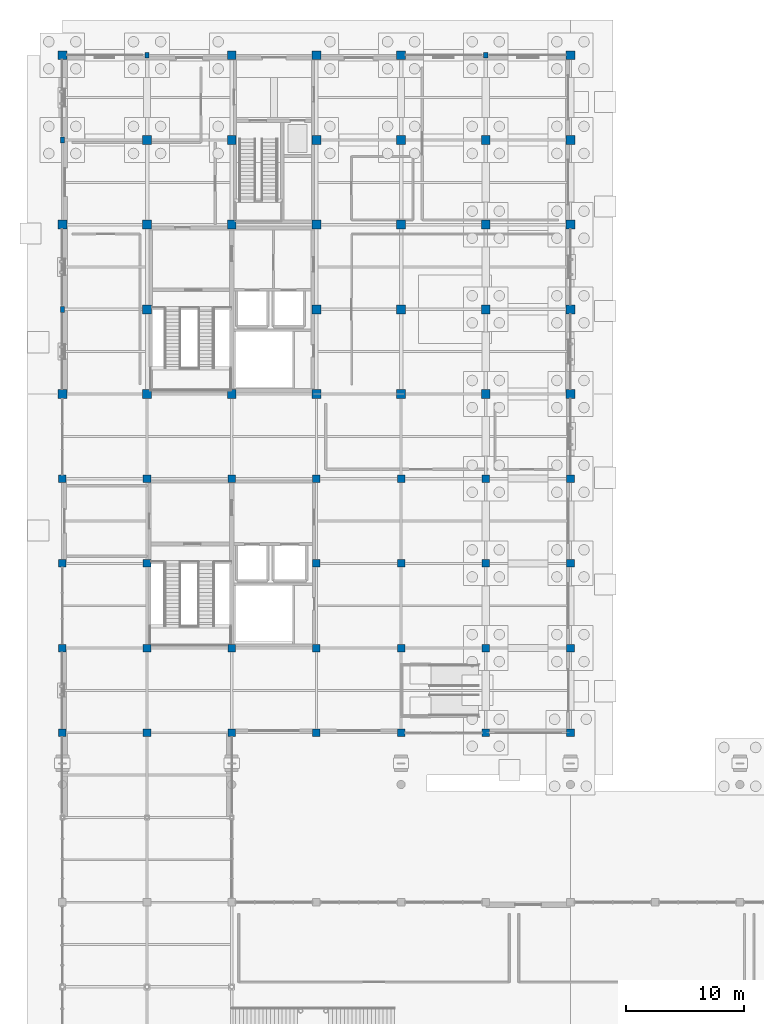
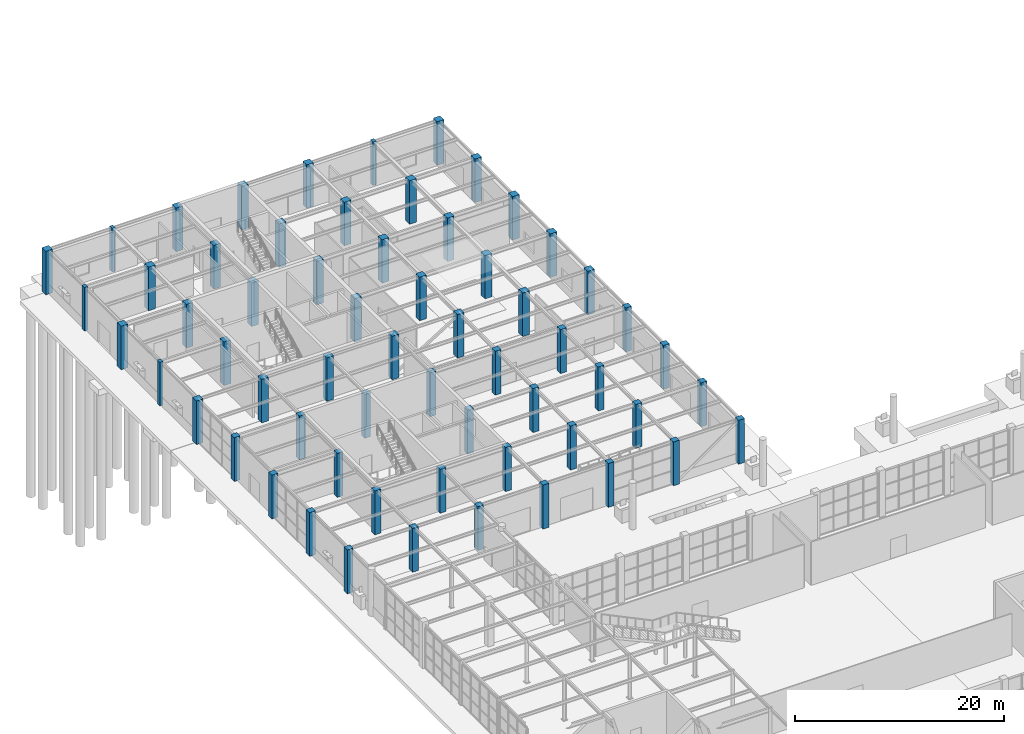
# One storey, part 14 of 75: 61 columns.
"""IFC4 building model written with IfcOpenShell, lengths in metres."""

from ifc_helpers import new_model, si_unit, direction, frame, origin, origin_2d, place, context, subcontext, project, spatial, rectangle, extrude, material, material_profile, profile_set, type_object, element, save


model = new_model("IFC4")

# Units and contexts
model_context = context("Model", 3, precision=1e-05, world=origin(), true_north=direction((0.0, 1.0)))
body_context = subcontext(model_context, "Body", "Model", "MODEL_VIEW")
ifc_project = project(units=[si_unit("LENGTHUNIT", "METRE"), si_unit("AREAUNIT", "SQUARE_METRE"), si_unit("VOLUMEUNIT", "CUBIC_METRE"), si_unit("PLANEANGLEUNIT", "RADIAN"), si_unit("MASSUNIT", "GRAM", prefix="KILO")], contexts=[model_context])

# Site, building, storey
site_placement = place(None, origin())
site = spatial("IfcSite", under=ifc_project, at=site_placement, CompositionType="ELEMENT")
building_placement = place(site_placement, origin())
building = spatial("IfcBuilding", under=site, at=building_placement, Name="Leyfeld Transit Interchange", CompositionType="ELEMENT")
storey_placement = place(building_placement, origin())
storey = spatial("IfcBuildingStorey", under=building, at=storey_placement, Name="L00", CompositionType="ELEMENT", Elevation=0.0)

# Columns
ifc_material = material(Name="Concrete C35/45", Category="concrete")
ifc_material_profile_1 = material_profile(ifc_material, rectangle(XDim=0.35009765625, YDim=0.5, at=origin_2d()), Name="RC 500x350")
ifc_profile_set_1 = profile_set([ifc_material_profile_1], Name="Concrete C35/45")
column_type_1 = type_object("IfcColumnType", Name="COL-PIL-500", PredefinedType="PILASTER", material=ifc_profile_set_1)
for number, where, z_axis, x_axis, name in (
    (1, (0.0, 100.800048828125, 0.0), (0.0, 0.0, 1.0), (1.0, 0.0, 0.0), "Column COL-L00-0000_1008"),
    (2, (0.0, 115.199951171875, 0.0), (0.0, 0.0, 1.0), (1.0, 0.0, 0.0), "Column COL-L00-0000_1152"),
    (3, (7.199951171875, 122.39990234375, 0.0), (0.0, 0.0, 1.0), (1.0, 0.0, 0.0), "Column COL-L00-0072_1224"),
    (4, (36.0, 122.39990234375, 0.0), (0.0, 0.0, 1.0), (1.0, 0.0, 0.0), "Column COL-L00-0360_1224"),
):
    element("IfcColumn", number, at=place(storey_placement, frame(where, z_axis=z_axis, x_axis=x_axis)), inside=storey, type_object=column_type_1, Name=name, PredefinedType="PILASTER", context=body_context, shape_type="SweptSolid", body=[
        extrude(rectangle(XDim=0.35009765625, YDim=0.5, at=origin_2d()), origin(), (0.0, 0.0, 1.0), 5.080078125),
    ])
ifc_material_profile_2 = material_profile(ifc_material, rectangle(XDim=0.64990234375, YDim=0.64990234375, at=origin_2d()), Name="RC 650x650")
ifc_profile_set_2 = profile_set([ifc_material_profile_2], Name="Concrete C35/45")
column_type_2 = type_object("IfcColumnType", Name="COL-RC-650", PredefinedType="COLUMN", material=ifc_profile_set_2)
for number, where, z_axis, x_axis, name in (
    (5, (0.0, 64.800048828125, 0.0), (0.0, 0.0, 1.0), (1.0, 0.0, 0.0), "Column COL-L00-0000_0648"),
    (6, (0.0, 72.0, 0.0), (0.0, 0.0, 1.0), (0.0, 1.0, 0.0), "Column COL-L00-0000_0720"),
    (7, (0.0, 79.199951171875, 0.0), (0.0, 0.0, 1.0), (0.0, 1.0, 0.0), "Column COL-L00-0000_0792"),
    (8, (0.0, 86.39990234375, 0.0), (0.0, 0.0, 1.0), (0.0, 1.0, 0.0), "Column COL-L00-0000_0864"),
    (9, (7.199951171875, 64.800048828125, 0.0), (0.0, 0.0, 1.0), (1.0, 0.0, 0.0), "Column COL-L00-0072_0648"),
    (10, (7.199951171875, 72.0, 0.0), (0.0, 0.0, 1.0), (1.0, 0.0, 0.0), "Column COL-L00-0072_0720"),
    (11, (7.199951171875, 79.199951171875, 0.0), (0.0, 0.0, 1.0), (1.0, 0.0, 0.0), "Column COL-L00-0072_0792"),
    (12, (7.199951171875, 86.39990234375, 0.0), (0.0, 0.0, 1.0), (1.0, 0.0, 0.0), "Column COL-L00-0072_0864"),
    (13, (14.39990234375, 64.800048828125, 0.0), (0.0, 0.0, 1.0), (1.0, 0.0, 0.0), "Column COL-L00-0144_0648"),
    (14, (14.39990234375, 72.0, 0.0), (0.0, 0.0, 1.0), (1.0, 0.0, 0.0), "Column COL-L00-0144_0720"),
    (15, (14.39990234375, 86.39990234375, 0.0), (0.0, 0.0, 1.0), (1.0, 0.0, 0.0), "Column COL-L00-0144_0864"),
    (16, (21.60009765625, 64.800048828125, 0.0), (0.0, 0.0, 1.0), (1.0, 0.0, 0.0), "Column COL-L00-0216_0648"),
    (17, (21.60009765625, 72.0, 0.0), (0.0, 0.0, 1.0), (1.0, 0.0, 0.0), "Column COL-L00-0216_0720"),
    (18, (21.60009765625, 79.199951171875, 0.0), (0.0, 0.0, 1.0), (1.0, 0.0, 0.0), "Column COL-L00-0216_0792"),
    (19, (21.60009765625, 86.39990234375, 0.0), (0.0, 0.0, 1.0), (1.0, 0.0, 0.0), "Column COL-L00-0216_0864"),
    (20, (28.800048828125, 64.800048828125, 0.0), (0.0, 0.0, 1.0), (1.0, 0.0, 0.0), "Column COL-L00-0288_0648"),
    (21, (28.800048828125, 72.0, 0.0), (0.0, 0.0, 1.0), (1.0, 0.0, 0.0), "Column COL-L00-0288_0720"),
    (22, (28.800048828125, 79.199951171875, 0.0), (0.0, 0.0, 1.0), (1.0, 0.0, 0.0), "Column COL-L00-0288_0792"),
    (23, (28.800048828125, 86.39990234375, 0.0), (0.0, 0.0, 1.0), (1.0, 0.0, 0.0), "Column COL-L00-0288_0864"),
    (24, (36.0, 64.800048828125, 0.0), (0.0, 0.0, 1.0), (1.0, 0.0, 0.0), "Column COL-L00-0360_0648"),
    (25, (36.0, 72.0, 0.0), (0.0, 0.0, 1.0), (1.0, 0.0, 0.0), "Column COL-L00-0360_0720"),
    (26, (36.0, 79.199951171875, 0.0), (0.0, 0.0, 1.0), (1.0, 0.0, 0.0), "Column COL-L00-0360_0792"),
    (27, (36.0, 86.39990234375, 0.0), (0.0, 0.0, 1.0), (1.0, 0.0, 0.0), "Column COL-L00-0360_0864"),
    (28, (43.199951171875, 64.800048828125, 0.0), (0.0, 0.0, 1.0), (1.0, 0.0, 0.0), "Column COL-L00-0432_0648"),
    (29, (43.199951171875, 72.0, 0.0), (0.0, 0.0, 1.0), (0.0, 1.0, 0.0), "Column COL-L00-0432_0720"),
    (30, (43.199951171875, 79.199951171875, 0.0), (0.0, 0.0, 1.0), (0.0, 1.0, 0.0), "Column COL-L00-0432_0792"),
    (31, (43.199951171875, 86.39990234375, 0.0), (0.0, 0.0, 1.0), (0.0, 1.0, 0.0), "Column COL-L00-0432_0864"),
):
    element("IfcColumn", number, at=place(storey_placement, frame(where, z_axis=z_axis, x_axis=x_axis)), inside=storey, type_object=column_type_2, Name=name, PredefinedType="COLUMN", context=body_context, shape_type="SweptSolid", body=[
        extrude(rectangle(XDim=0.64990234375, YDim=0.64990234375, at=origin_2d()), origin(), (0.0, 0.0, 1.0), 5.1201171875),
    ])
ifc_material_profile_3 = material_profile(ifc_material, rectangle(XDim=0.75, YDim=0.75, at=origin_2d()), Name="RC 750x750")
ifc_profile_set_3 = profile_set([ifc_material_profile_3], Name="Concrete C35/45")
column_type_3 = type_object("IfcColumnType", Name="COL-RC-750", PredefinedType="COLUMN", material=ifc_profile_set_3)
for number, where, z_axis, x_axis, name in (
    (32, (0.0, 93.60009765625, 0.0), (0.0, 0.0, 1.0), (0.0, 1.0, 0.0), "Column COL-L00-0000_0936"),
    (33, (0.0, 108.0, 0.0), (0.0, 0.0, 1.0), (1.0, 0.0, 0.0), "Column COL-L00-0000_1080"),
    (34, (0.0, 122.39990234375, 0.0), (0.0, 0.0, 1.0), (1.0, 0.0, 0.0), "Column COL-L00-0000_1224"),
    (35, (7.199951171875, 93.60009765625, 0.0), (0.0, 0.0, 1.0), (1.0, 0.0, 0.0), "Column COL-L00-0072_0936"),
    (36, (7.199951171875, 100.800048828125, 0.0), (0.0, 0.0, 1.0), (1.0, 0.0, 0.0), "Column COL-L00-0072_1008"),
    (37, (7.199951171875, 108.0, 0.0), (0.0, 0.0, 1.0), (1.0, 0.0, 0.0), "Column COL-L00-0072_1080"),
    (38, (7.199951171875, 115.199951171875, 0.0), (0.0, 0.0, 1.0), (1.0, 0.0, 0.0), "Column COL-L00-0072_1152"),
    (39, (14.39990234375, 93.60009765625, 0.0), (0.0, 0.0, 1.0), (1.0, 0.0, 0.0), "Column COL-L00-0144_0936"),
    (40, (14.39990234375, 108.0, 0.0), (0.0, 0.0, 1.0), (1.0, 0.0, 0.0), "Column COL-L00-0144_1080"),
    (41, (14.39990234375, 115.199951171875, 0.0), (0.0, 0.0, 1.0), (1.0, 0.0, 0.0), "Column COL-L00-0144_1152"),
    (42, (14.39990234375, 122.39990234375, 0.0), (0.0, 0.0, 1.0), (1.0, 0.0, 0.0), "Column COL-L00-0144_1224"),
    (43, (21.60009765625, 93.60009765625, 0.0), (0.0, 0.0, 1.0), (1.0, 0.0, 0.0), "Column COL-L00-0216_0936"),
    (44, (21.60009765625, 100.800048828125, 0.0), (0.0, 0.0, 1.0), (1.0, 0.0, 0.0), "Column COL-L00-0216_1008"),
    (45, (21.60009765625, 108.0, 0.0), (0.0, 0.0, 1.0), (1.0, 0.0, 0.0), "Column COL-L00-0216_1080"),
    (46, (21.60009765625, 115.199951171875, 0.0), (0.0, 0.0, 1.0), (1.0, 0.0, 0.0), "Column COL-L00-0216_1152"),
    (47, (21.60009765625, 122.39990234375, 0.0), (0.0, 0.0, 1.0), (1.0, 0.0, 0.0), "Column COL-L00-0216_1224"),
    (48, (28.800048828125, 93.60009765625, 0.0), (0.0, 0.0, 1.0), (1.0, 0.0, 0.0), "Column COL-L00-0288_0936"),
    (49, (28.800048828125, 100.800048828125, 0.0), (0.0, 0.0, 1.0), (1.0, 0.0, 0.0), "Column COL-L00-0288_1008"),
    (50, (28.800048828125, 108.0, 0.0), (0.0, 0.0, 1.0), (1.0, 0.0, 0.0), "Column COL-L00-0288_1080"),
    (51, (28.800048828125, 115.199951171875, 0.0), (0.0, 0.0, 1.0), (1.0, 0.0, 0.0), "Column COL-L00-0288_1152"),
    (52, (28.800048828125, 122.39990234375, 0.0), (0.0, 0.0, 1.0), (1.0, 0.0, 0.0), "Column COL-L00-0288_1224"),
    (53, (36.0, 93.60009765625, 0.0), (0.0, 0.0, 1.0), (1.0, 0.0, 0.0), "Column COL-L00-0360_0936"),
    (54, (36.0, 100.800048828125, 0.0), (0.0, 0.0, 1.0), (1.0, 0.0, 0.0), "Column COL-L00-0360_1008"),
    (55, (36.0, 108.0, 0.0), (0.0, 0.0, 1.0), (1.0, 0.0, 0.0), "Column COL-L00-0360_1080"),
    (56, (36.0, 115.199951171875, 0.0), (0.0, 0.0, 1.0), (1.0, 0.0, 0.0), "Column COL-L00-0360_1152"),
    (57, (43.199951171875, 93.60009765625, 0.0), (0.0, 0.0, 1.0), (0.0, 1.0, 0.0), "Column COL-L00-0432_0936"),
    (58, (43.199951171875, 100.800048828125, 0.0), (0.0, 0.0, 1.0), (1.0, 0.0, 0.0), "Column COL-L00-0432_1008"),
    (59, (43.199951171875, 108.0, 0.0), (0.0, 0.0, 1.0), (1.0, 0.0, 0.0), "Column COL-L00-0432_1080"),
    (60, (43.199951171875, 115.199951171875, 0.0), (0.0, 0.0, 1.0), (1.0, 0.0, 0.0), "Column COL-L00-0432_1152"),
    (61, (43.199951171875, 122.39990234375, 0.0), (0.0, 0.0, 1.0), (1.0, 0.0, 0.0), "Column COL-L00-0432_1224"),
):
    element("IfcColumn", number, at=place(storey_placement, frame(where, z_axis=z_axis, x_axis=x_axis)), inside=storey, type_object=column_type_3, Name=name, PredefinedType="COLUMN", context=body_context, shape_type="SweptSolid", body=[
        extrude(rectangle(XDim=0.75, YDim=0.75, at=origin_2d()), origin(), (0.0, 0.0, 1.0), 5.080078125),
    ])

save(model, "model.ifc")
